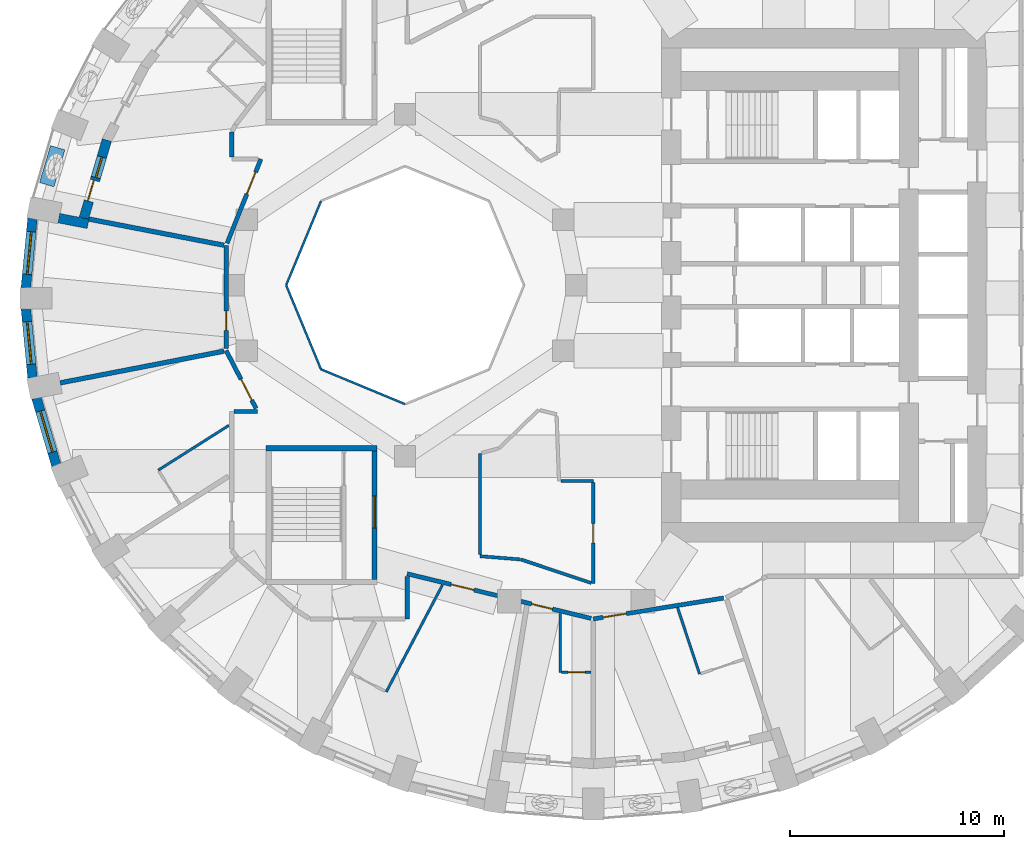
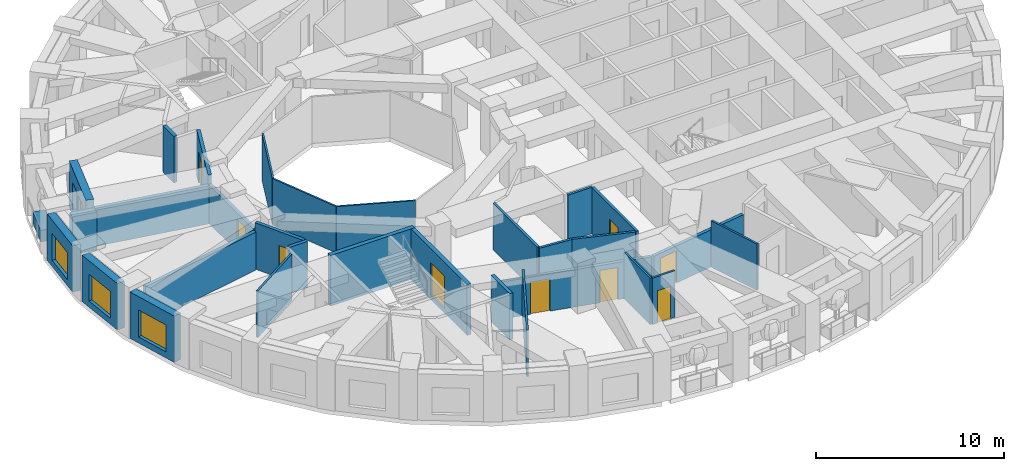
# One storey, part 4 of 13: 31 walls, 10 doors, 4 windows, 14 openings.
"""IFC4 building model written with IfcOpenShell, lengths in metres."""

from ifc_helpers import new_model, si_unit, direction, frame, frame_2d, origin, place, context, subcontext, project, spatial, rectangle, extrude, material, layer, layer_set, constituent, constituent_set, type_object, element, fill, save


model = new_model("IFC4")

# Units and contexts
model_context = context("Model", 3, precision=1e-05, world=origin(), true_north=direction((0.0, 1.0)))
body_context = subcontext(model_context, "Body", "Model", "MODEL_VIEW")
ifc_project = project(units=[si_unit("LENGTHUNIT", "METRE"), si_unit("AREAUNIT", "SQUARE_METRE"), si_unit("VOLUMEUNIT", "CUBIC_METRE"), si_unit("PLANEANGLEUNIT", "RADIAN"), si_unit("MASSUNIT", "GRAM", prefix="KILO")], contexts=[model_context])

# Site, building, storey
site_placement = place(None, origin())
site = spatial("IfcSite", under=ifc_project, at=site_placement, CompositionType="ELEMENT")
building_placement = place(site_placement, origin())
building = spatial("IfcBuilding", under=site, at=building_placement, Name="Taillehof Tower", CompositionType="ELEMENT")
storey_placement = place(building_placement, frame((0.0, 0.0, 108.699951171875)))
storey = spatial("IfcBuildingStorey", under=building, at=storey_placement, Name="L30", CompositionType="ELEMENT", Elevation=108.699951171875)

# Walls
ifc_material_1 = material(Name="Fire-resisting glass in steel frame", Category="steel")
ifc_layer_1 = layer(ifc_material_1, 0.10009765625)
ifc_layer_set_1 = layer_set([ifc_layer_1], Name="Atrium fire-resisting screen EI 60 100")
wall_type_1 = type_object("IfcWallType", Name="Atrium fire-resisting screen EI 60 100", PredefinedType="PARTITIONING", material=ifc_layer_set_1)
for number, where, z_axis, x_axis, name in (
    (1, (-8.0, -5.55419921875, 0.0), (0.0, 0.0, 1.0), (-0.923860025149, 0.382730523909, 0.0), "Atrium screen"),
    (2, (-11.92724609375, -3.92724609375, 0.0), (0.0, 0.0, 1.0), (-0.382730523909, 0.923860025149, 0.0), "Atrium screen"),
    (3, (-13.55419921875, 0.0, 0.0), (0.0, 0.0, 1.0), (0.382730523909, 0.923860025149, 0.0), "Atrium screen"),
):
    element("IfcWall", number, at=place(storey_placement, frame(where, z_axis=z_axis, x_axis=x_axis)), inside=storey, type_object=wall_type_1, Name=name, PredefinedType="PARTITIONING", context=body_context, shape_type="SweptSolid", body=[
        extrude(rectangle(XDim=4.2509765625, YDim=0.10009765625, at=frame_2d((2.12548828125, 0.0))), origin(), (0.0, 0.0, 1.0), 3.02001953125),
    ])

# Wall, opening, window
ifc_material_2 = material(Name="Brick masonry", Category="masonry")
ifc_layer_2 = layer(ifc_material_2, 0.449951171875)
ifc_layer_set_2 = layer_set([ifc_layer_2], Name="Brick infill wall 450")
wall_type_2 = type_object("IfcWallType", Name="Brick infill wall 450", PredefinedType="SOLIDWALL", material=ifc_layer_set_2)
wall_1_placement = place(storey_placement, frame((-25.414794921875, 3.12646484375, 0.0), z_axis=(0.0, 0.0, 1.0), x_axis=(-0.095967726544, -0.995384446062, 0.0)))
wall_1 = element("IfcWall", 4, at=wall_1_placement, inside=storey, type_object=wall_type_2, Name="Brick wall L30 bay 18", PredefinedType="SOLIDWALL", context=body_context, shape_type="SweptSolid", body=[
    extrude(rectangle(XDim=3.261474609375, YDim=0.449951171875, at=frame_2d((1.630859375, 0.0))), origin(), (0.0, 0.0, 1.0), 3.02001953125),
])
opening_1_placement = place(wall_1_placement, frame((0.630615234375, 0.0, 0.39990234375)))
opening_1 = element("IfcOpeningElement", 5, at=opening_1_placement, cuts=wall_1, Name="Opening W2", PredefinedType="OPENING", context=body_context, shape_type="SweptSolid", body=[
    extrude(rectangle(XDim=2.0, YDim=1.75, at=frame_2d((1.0, 0.875))), frame((0.0, 0.23486328125, 0.0), z_axis=(0.0, -1.0, 0.0), x_axis=(1.0, 0.0, 0.0)), (0.0, 0.0, 1.0), 0.469970703125),
])
ifc_material_3 = material(Name="Aluminium window frame with clear double glazing", Category="aluminium")
window_type_1 = type_object("IfcWindowType", Name="Deep-set window 2000x1750", PartitioningType="SINGLE_PANEL", PredefinedType="WINDOW", material=ifc_material_3)
window_1_placement = place(opening_1_placement, origin())
window_1 = element("IfcWindow", 6, at=window_1_placement, inside=storey, type_object=window_type_1, Name="W2", OverallHeight=1.75, OverallWidth=2.0, PartitioningType="SINGLE_PANEL", PredefinedType="WINDOW", context=body_context, shape_type="SweptSolid", body=[
    extrude(rectangle(XDim=2.0, YDim=1.75, at=frame_2d((1.0, 0.875))), frame((0.0, 0.034912109375, 0.0), z_axis=(0.0, -1.0, 0.0), x_axis=(1.0, 0.0, 0.0)), (0.0, 0.0, 1.0), 0.06005859375),
])
fill(opening_1, window_1)

wall_2_placement = place(storey_placement, frame((-25.727783203125, -1.080078125, 0.0), z_axis=(0.0, 0.0, 1.0), x_axis=(0.095967726544, -0.995384446062, 0.0)))
wall_2 = element("IfcWall", 7, at=wall_2_placement, inside=storey, type_object=wall_type_2, Name="Brick wall L30 bay 19", PredefinedType="SOLIDWALL", context=body_context, shape_type="SweptSolid", body=[
    extrude(rectangle(XDim=3.261474609375, YDim=0.449951171875, at=frame_2d((1.630859375, 0.0))), origin(), (0.0, 0.0, 1.0), 3.02001953125),
])
opening_2_placement = place(wall_2_placement, frame((0.630615234375, 0.0, 0.39990234375)))
opening_2 = element("IfcOpeningElement", 8, at=opening_2_placement, cuts=wall_2, Name="Opening W2", PredefinedType="OPENING", context=body_context, shape_type="SweptSolid", body=[
    extrude(rectangle(XDim=2.0, YDim=1.75, at=frame_2d((1.0, 0.875))), frame((0.0, 0.23486328125, 0.0), z_axis=(0.0, -1.0, 0.0), x_axis=(1.0, 0.0, 0.0)), (0.0, 0.0, 1.0), 0.469970703125),
])
window_2_placement = place(opening_2_placement, origin())
window_2 = element("IfcWindow", 9, at=window_2_placement, inside=storey, type_object=window_type_1, Name="W2", OverallHeight=1.75, OverallWidth=2.0, PartitioningType="SINGLE_PANEL", PredefinedType="WINDOW", context=body_context, shape_type="SweptSolid", body=[
    extrude(rectangle(XDim=2.0, YDim=1.75, at=frame_2d((1.0, 0.875))), frame((0.0, 0.034912109375, 0.0), z_axis=(0.0, -1.0, 0.0), x_axis=(1.0, 0.0, 0.0)), (0.0, 0.0, 1.0), 0.06005859375),
])
fill(opening_2, window_2)

wall_3_placement = place(storey_placement, frame((-25.232177734375, -5.26904296875, 0.0), z_axis=(0.0, 0.0, 1.0), x_axis=(0.283051078697, -0.959104836214, 0.0)))
wall_3 = element("IfcWall", 10, at=wall_3_placement, inside=storey, type_object=wall_type_2, Name="Brick wall L30 bay 20", PredefinedType="SOLIDWALL", context=body_context, shape_type="SweptSolid", body=[
    extrude(rectangle(XDim=3.2861328125, YDim=0.449951171875, at=frame_2d((1.64306640625, 0.0))), origin(), (0.0, 0.0, 1.0), 3.02001953125),
])
opening_3_placement = place(wall_3_placement, frame((0.64306640625, 0.0, 0.39990234375)))
opening_3 = element("IfcOpeningElement", 11, at=opening_3_placement, cuts=wall_3, Name="Opening W2", PredefinedType="OPENING", context=body_context, shape_type="SweptSolid", body=[
    extrude(rectangle(XDim=2.0, YDim=1.75, at=frame_2d((1.0, 0.875))), frame((0.0, 0.23486328125, 0.0), z_axis=(0.0, -1.0, 0.0), x_axis=(1.0, 0.0, 0.0)), (0.0, 0.0, 1.0), 0.469970703125),
])
window_3_placement = place(opening_3_placement, origin())
window_3 = element("IfcWindow", 12, at=window_3_placement, inside=storey, type_object=window_type_1, Name="W2", OverallHeight=1.75, OverallWidth=2.0, PartitioningType="SINGLE_PANEL", PredefinedType="WINDOW", context=body_context, shape_type="SweptSolid", body=[
    extrude(rectangle(XDim=2.0, YDim=1.75, at=frame_2d((1.0, 0.875))), frame((0.0, 0.034912109375, 0.0), z_axis=(0.0, -1.0, 0.0), x_axis=(1.0, 0.0, 0.0)), (0.0, 0.0, 1.0), 0.06005859375),
])
fill(opening_3, window_3)

# Wall
wall_4_placement = place(storey_placement, frame((-24.1826171875, 3.134765625, 0.0), z_axis=(0.0, 0.0, 1.0), x_axis=(0.981744955624, -0.190202108576, 0.0)))
element("IfcWall", 13, at=wall_4_placement, inside=storey, type_object=wall_type_2, Name="Brick reveal L30 pocket 4", PredefinedType="SOLIDWALL", context=body_context, shape_type="SweptSolid", body=[
    extrude(rectangle(XDim=1.39013671875, YDim=0.449951171875, at=frame_2d((0.695068359375, 0.0))), origin(), (0.0, 0.0, 1.0), 2.469970703125),
])

# Wall, openings, door, window
wall_5_placement = place(storey_placement, frame((-21.939453125, 6.790771484375, 0.0), z_axis=(0.0, 0.0, 1.0), x_axis=(-0.282350284167, -0.959311376473, 0.0)))
wall_5 = element("IfcWall", 14, at=wall_5_placement, inside=storey, type_object=wall_type_2, Name="Brick wall L30 pocket bay 17", PredefinedType="SOLIDWALL", context=body_context, shape_type="SweptSolid", body=[
    extrude(rectangle(XDim=3.80810546875, YDim=0.449951171875, at=frame_2d((1.904052734375, 0.0))), origin(), (0.0, 0.0, 1.0), 3.02001953125),
])
opening_4_placement = place(wall_5_placement, frame((0.8291015625, 0.0, 0.39990234375)))
opening_4 = element("IfcOpeningElement", 15, at=opening_4_placement, cuts=wall_5, Name="Opening W5", PredefinedType="OPENING", context=body_context, shape_type="SweptSolid", body=[
    extrude(rectangle(XDim=1.0, YDim=1.75, at=frame_2d((0.5, 0.875))), frame((0.0, 0.23486328125, 0.0), z_axis=(0.0, -1.0, 0.0), x_axis=(1.0, 0.0, 0.0)), (0.0, 0.0, 1.0), 0.469970703125),
])
opening_5_placement = place(wall_5_placement, frame((1.97900390625, 0.0, 0.0)))
opening_5 = element("IfcOpeningElement", 16, at=opening_5_placement, cuts=wall_5, Name="Opening D3093", PredefinedType="OPENING", context=body_context, shape_type="SweptSolid", body=[
    extrude(rectangle(XDim=1.0, YDim=2.14990234375, at=frame_2d((0.5, 1.074951171875))), frame((0.0, 0.23486328125, 0.0), z_axis=(0.0, -1.0, 0.0), x_axis=(1.0, 0.0, 0.0)), (0.0, 0.0, 1.0), 0.469970703125),
])
ifc_material_4 = material(Name="Aluminium door frame with clear double glazing", Category="aluminium")
door_type_1 = type_object("IfcDoorType", Name="Balcony door 1000x2150", OperationType="SINGLE_SWING_RIGHT", PredefinedType="DOOR", material=ifc_material_4)
door_1_placement = place(opening_5_placement, frame((1.0, 0.0, 0.0), z_axis=(0.0, 0.0, 1.0), x_axis=(-1.0, 0.0, 0.0)))
door_1 = element("IfcDoor", 17, at=door_1_placement, inside=storey, type_object=door_type_1, Name="Balcony door L30 bay 17", OperationType="SINGLE_SWING_LEFT", OverallHeight=2.14990234375, OverallWidth=1.0, PredefinedType="DOOR", context=body_context, shape_type="SweptSolid", body=[
    extrude(rectangle(XDim=1.0, YDim=2.14990234375, at=frame_2d((0.5, 1.074951171875))), frame((0.0, 0.0751953125, 0.0), z_axis=(0.0, -1.0, 0.0), x_axis=(1.0, 0.0, 0.0)), (0.0, 0.0, 1.0), 0.050048828125),
])
fill(opening_5, door_1)
ifc_material_5 = material(Name="Aluminium window frame with clear double glazing", Category="aluminium")
window_type_2 = type_object("IfcWindowType", Name="Fixed window 1000x1750", PartitioningType="SINGLE_PANEL", PredefinedType="WINDOW", material=ifc_material_5)
window_4_placement = place(opening_4_placement, origin())
window_4 = element("IfcWindow", 18, at=window_4_placement, inside=storey, type_object=window_type_2, Name="W5", OverallHeight=1.75, OverallWidth=1.0, PartitioningType="SINGLE_PANEL", PredefinedType="WINDOW", context=body_context, shape_type="SweptSolid", body=[
    extrude(rectangle(XDim=1.0, YDim=1.75, at=frame_2d((0.5, 0.875))), frame((0.0, 0.034912109375, 0.0), z_axis=(0.0, -1.0, 0.0), x_axis=(1.0, 0.0, 0.0)), (0.0, 0.0, 1.0), 0.06005859375),
])
fill(opening_4, window_4)

# Wall
ifc_material_6 = material(Name="Gypsum board on steel studs, two layers each side", Category="steel")
ifc_layer_3 = layer(ifc_material_6, 0.199951171875)
ifc_layer_set_3 = layer_set([ifc_layer_3], Name="Compartment wall corridor 200")
wall_type_3 = type_object("IfcWallType", Name="Compartment wall corridor 200", PredefinedType="PARTITIONING", material=ifc_layer_set_3)
wall_6_placement = place(storey_placement, frame((-16.0, -5.89990234375, 0.0), z_axis=(0.0, 0.0, 1.0), x_axis=(1.0, 0.0, 0.0)))
element("IfcWall", 19, at=wall_6_placement, inside=storey, type_object=wall_type_3, Name="Compartment wall", PredefinedType="PARTITIONING", context=body_context, shape_type="SweptSolid", body=[
    extrude(rectangle(XDim=1.1083984375, YDim=0.199951171875, at=frame_2d((0.55419921875, 0.0))), origin(), (0.0, 0.0, 1.0), 3.02001953125),
])

# Wall, opening, door
wall_7_placement = place(storey_placement, frame((-14.9658203125, -5.75732421875, 0.0), z_axis=(0.0, 0.0, 1.0), x_axis=(-0.458904116107, 0.888485797422, 0.0)))
wall_7 = element("IfcWall", 20, at=wall_7_placement, inside=storey, type_object=wall_type_3, Name="Compartment wall", PredefinedType="PARTITIONING", context=body_context, shape_type="SweptSolid", body=[
    extrude(rectangle(XDim=3.04736328125, YDim=0.199951171875, at=frame_2d((1.523681640625, 0.0))), origin(), (0.0, 0.0, 1.0), 3.02001953125),
])
opening_6_placement = place(wall_7_placement, frame((0.43505859375, 0.0, 0.0)))
opening_6 = element("IfcOpeningElement", 21, at=opening_6_placement, cuts=wall_7, Name="Opening D3052", PredefinedType="OPENING", context=body_context, shape_type="SweptSolid", body=[
    extrude(rectangle(XDim=1.10009765625, YDim=2.10009765625, at=frame_2d((0.550048828125, 1.050048828125))), frame((0.0, 0.10986328125, 0.0), z_axis=(0.0, -1.0, 0.0), x_axis=(1.0, 0.0, 0.0)), (0.0, 0.0, 1.0), 0.219970703125),
])
ifc_material_7 = material(Name="Timber door leaf in steel frame", Category="steel")
door_type_2 = type_object("IfcDoorType", Name="Suite entrance door EI 30 1100 x 2100", OperationType="SINGLE_SWING_LEFT", PredefinedType="DOOR", material=ifc_material_7)
door_2_placement = place(opening_6_placement, origin())
door_2 = element("IfcDoor", 22, at=door_2_placement, inside=storey, type_object=door_type_2, Name="D3052", OperationType="SINGLE_SWING_LEFT", OverallHeight=2.10009765625, OverallWidth=1.10009765625, PredefinedType="DOOR", context=body_context, shape_type="SweptSolid", body=[
    extrude(rectangle(XDim=1.10009765625, YDim=2.10009765625, at=frame_2d((0.550048828125, 1.050048828125))), frame((0.0, 0.02490234375, 0.0), z_axis=(0.0, -1.0, 0.0), x_axis=(1.0, 0.0, 0.0)), (0.0, 0.0, 1.0), 0.050048828125),
])
fill(opening_6, door_2)

wall_8_placement = place(storey_placement, frame((-16.3642578125, -2.94970703125, 0.0), z_axis=(0.0, 0.0, 1.0), x_axis=(0.0, 1.0, 0.0)))
wall_8 = element("IfcWall", 23, at=wall_8_placement, inside=storey, type_object=wall_type_3, Name="Compartment wall", PredefinedType="PARTITIONING", context=body_context, shape_type="SweptSolid", body=[
    extrude(rectangle(XDim=4.79931640625, YDim=0.199951171875, at=frame_2d((2.399658203125, 0.0))), origin(), (0.0, 0.0, 1.0), 2.52001953125),
])
opening_7_placement = place(wall_8_placement, frame((0.8349609375, 0.0, 0.0)))
opening_7 = element("IfcOpeningElement", 24, at=opening_7_placement, cuts=wall_8, Name="Opening D3051", PredefinedType="OPENING", context=body_context, shape_type="SweptSolid", body=[
    extrude(rectangle(XDim=0.89990234375, YDim=2.10009765625, at=frame_2d((0.449951171875, 1.050048828125))), frame((0.0, 0.10986328125, 0.0), z_axis=(0.0, -1.0, 0.0), x_axis=(1.0, 0.0, 0.0)), (0.0, 0.0, 1.0), 0.219970703125),
])
ifc_material_8 = material(Name="Timber door leaf in steel frame", Category="steel")
door_type_3 = type_object("IfcDoorType", Name="Service room door EI 30 900 x 2100", OperationType="SINGLE_SWING_LEFT", PredefinedType="DOOR", material=ifc_material_8)
door_3_placement = place(opening_7_placement, origin())
door_3 = element("IfcDoor", 25, at=door_3_placement, inside=storey, type_object=door_type_3, Name="D3051", OperationType="SINGLE_SWING_LEFT", OverallHeight=2.10009765625, OverallWidth=0.89990234375, PredefinedType="DOOR", context=body_context, shape_type="SweptSolid", body=[
    extrude(rectangle(XDim=0.89990234375, YDim=2.10009765625, at=frame_2d((0.449951171875, 1.050048828125))), frame((0.0, 0.02490234375, 0.0), z_axis=(0.0, -1.0, 0.0), x_axis=(1.0, 0.0, 0.0)), (0.0, 0.0, 1.0), 0.050048828125),
])
fill(opening_7, door_3)

wall_9_placement = place(storey_placement, frame((-16.31884765625, 1.9609375, 0.0), z_axis=(0.0, 0.0, 1.0), x_axis=(0.372352515432, 0.928091377102, 0.0)))
wall_9 = element("IfcWall", 26, at=wall_9_placement, inside=storey, type_object=wall_type_3, Name="Compartment wall", PredefinedType="PARTITIONING", context=body_context, shape_type="SweptSolid", body=[
    extrude(rectangle(XDim=4.244140625, YDim=0.199951171875, at=frame_2d((2.1220703125, 0.0))), origin(), (0.0, 0.0, 1.0), 3.02001953125),
])
opening_8_placement = place(wall_9_placement, frame((2.480712890625, 0.0, 0.0)))
opening_8 = element("IfcOpeningElement", 27, at=opening_8_placement, cuts=wall_9, Name="Opening D3049", PredefinedType="OPENING", context=body_context, shape_type="SweptSolid", body=[
    extrude(rectangle(XDim=1.10009765625, YDim=2.10009765625, at=frame_2d((0.550048828125, 1.050048828125))), frame((0.0, 0.10986328125, 0.0), z_axis=(0.0, -1.0, 0.0), x_axis=(1.0, 0.0, 0.0)), (0.0, 0.0, 1.0), 0.219970703125),
])
door_4_placement = place(opening_8_placement, origin())
door_4 = element("IfcDoor", 28, at=door_4_placement, inside=storey, type_object=door_type_2, Name="D3049", OperationType="SINGLE_SWING_RIGHT", OverallHeight=2.10009765625, OverallWidth=1.10009765625, PredefinedType="DOOR", context=body_context, shape_type="SweptSolid", body=[
    extrude(rectangle(XDim=1.10009765625, YDim=2.10009765625, at=frame_2d((0.550048828125, 1.050048828125))), frame((0.0, 0.02490234375, 0.0), z_axis=(0.0, -1.0, 0.0), x_axis=(1.0, 0.0, 0.0)), (0.0, 0.0, 1.0), 0.050048828125),
])
fill(opening_8, door_4)

# Wall
wall_10_placement = place(storey_placement, frame((-16.10009765625, 6.0, 0.0), z_axis=(0.0, 0.0, 1.0), x_axis=(0.0, 1.0, 0.0)))
element("IfcWall", 29, at=wall_10_placement, inside=storey, type_object=wall_type_3, Name="Compartment wall", PredefinedType="PARTITIONING", context=body_context, shape_type="SweptSolid", body=[
    extrude(rectangle(XDim=1.159912109375, YDim=0.199951171875, at=frame_2d((0.580078125, 0.0))), origin(), (0.0, 0.0, 1.0), 3.02001953125),
])

# Wall, opening, door
wall_11_placement = place(storey_placement, frame((6.890625, -14.624755859375, 0.0), z_axis=(0.0, 0.0, 1.0), x_axis=(-0.987419134366, -0.158124802253, 0.0)))
wall_11 = element("IfcWall", 30, at=wall_11_placement, inside=storey, type_object=wall_type_3, Name="Compartment wall", PredefinedType="PARTITIONING", context=body_context, shape_type="SweptSolid", body=[
    extrude(rectangle(XDim=6.168212890625, YDim=0.199951171875, at=frame_2d((3.083984375, 0.0))), origin(), (0.0, 0.0, 1.0), 2.420166015625),
])
opening_9_placement = place(wall_11_placement, frame((4.60400390625, 0.0, 0.0)))
opening_9 = element("IfcOpeningElement", 31, at=opening_9_placement, cuts=wall_11, Name="Opening D3060", PredefinedType="OPENING", context=body_context, shape_type="SweptSolid", body=[
    extrude(rectangle(XDim=1.10009765625, YDim=2.10009765625, at=frame_2d((0.550048828125, 1.050048828125))), frame((0.0, 0.10986328125, 0.0), z_axis=(0.0, -1.0, 0.0), x_axis=(1.0, 0.0, 0.0)), (0.0, 0.0, 1.0), 0.219970703125),
])
ifc_material_9 = material(Name="Timber door leaf in steel frame", Category="steel")
door_type_4 = type_object("IfcDoorType", Name="Accessible guest room door EI 30 1100 x 2100", OperationType="SINGLE_SWING_LEFT", PredefinedType="DOOR", material=ifc_material_9)
door_5_placement = place(opening_9_placement, origin())
door_5 = element("IfcDoor", 32, at=door_5_placement, inside=storey, type_object=door_type_4, Name="D3060", OperationType="SINGLE_SWING_RIGHT", OverallHeight=2.10009765625, OverallWidth=1.10009765625, PredefinedType="DOOR", context=body_context, shape_type="SweptSolid", body=[
    extrude(rectangle(XDim=1.10009765625, YDim=2.10009765625, at=frame_2d((0.550048828125, 1.050048828125))), frame((0.0, 0.02490234375, 0.0), z_axis=(0.0, -1.0, 0.0), x_axis=(1.0, 0.0, 0.0)), (0.0, 0.0, 1.0), 0.050048828125),
])
fill(opening_9, door_5)

# Wall, openings, doors
wall_12_placement = place(storey_placement, frame((0.702392578125, -15.576904296875, 0.0), z_axis=(0.0, 0.0, 1.0), x_axis=(-0.971804733873, 0.235787105715, 0.0)))
wall_12 = element("IfcWall", 33, at=wall_12_placement, inside=storey, type_object=wall_type_3, Name="Compartment wall", PredefinedType="PARTITIONING", context=body_context, shape_type="SweptSolid", body=[
    extrude(rectangle(XDim=8.851806640625, YDim=0.199951171875, at=frame_2d((4.42578125, 0.0))), origin(), (0.0, 0.0, 1.0), 2.420166015625),
])
opening_10_placement = place(wall_12_placement, frame((5.631103515625, 0.0, 0.0)))
opening_10 = element("IfcOpeningElement", 34, at=opening_10_placement, cuts=wall_12, Name="Opening D3056", PredefinedType="OPENING", context=body_context, shape_type="SweptSolid", body=[
    extrude(rectangle(XDim=1.10009765625, YDim=2.10009765625, at=frame_2d((0.550048828125, 1.050048828125))), frame((0.0, 0.10986328125, 0.0), z_axis=(0.0, -1.0, 0.0), x_axis=(1.0, 0.0, 0.0)), (0.0, 0.0, 1.0), 0.219970703125),
])
opening_11_placement = place(wall_12_placement, frame((1.86328125, 0.0, 0.0)))
opening_11 = element("IfcOpeningElement", 35, at=opening_11_placement, cuts=wall_12, Name="Opening D3058", PredefinedType="OPENING", context=body_context, shape_type="SweptSolid", body=[
    extrude(rectangle(XDim=1.0, YDim=2.10009765625, at=frame_2d((0.5, 1.050048828125))), frame((0.0, 0.10986328125, 0.0), z_axis=(0.0, -1.0, 0.0), x_axis=(1.0, 0.0, 0.0)), (0.0, 0.0, 1.0), 0.219970703125),
])
ifc_material_10 = material(Name="Timber door leaf in steel frame", Category="steel")
door_type_5 = type_object("IfcDoorType", Name="Guest room door EI 30 1000 x 2100", OperationType="SINGLE_SWING_LEFT", PredefinedType="DOOR", material=ifc_material_10)
door_6_placement = place(opening_11_placement, origin())
door_6 = element("IfcDoor", 36, at=door_6_placement, inside=storey, type_object=door_type_5, Name="D3058", OperationType="SINGLE_SWING_RIGHT", OverallHeight=2.10009765625, OverallWidth=1.0, PredefinedType="DOOR", context=body_context, shape_type="SweptSolid", body=[
    extrude(rectangle(XDim=1.0, YDim=2.10009765625, at=frame_2d((0.5, 1.050048828125))), frame((0.0, 0.02490234375, 0.0), z_axis=(0.0, -1.0, 0.0), x_axis=(1.0, 0.0, 0.0)), (0.0, 0.0, 1.0), 0.050048828125),
])
fill(opening_11, door_6)
door_7_placement = place(opening_10_placement, origin())
door_7 = element("IfcDoor", 37, at=door_7_placement, inside=storey, type_object=door_type_2, Name="D3056", OperationType="SINGLE_SWING_RIGHT", OverallHeight=2.10009765625, OverallWidth=1.10009765625, PredefinedType="DOOR", context=body_context, shape_type="SweptSolid", body=[
    extrude(rectangle(XDim=1.10009765625, YDim=2.10009765625, at=frame_2d((0.550048828125, 1.050048828125))), frame((0.0, 0.02490234375, 0.0), z_axis=(0.0, -1.0, 0.0), x_axis=(1.0, 0.0, 0.0)), (0.0, 0.0, 1.0), 0.050048828125),
])
fill(opening_10, door_7)

# Walls
wall_13_placement = place(storey_placement, frame((-7.89990234375, -13.60986328125, 0.0), z_axis=(0.0, 0.0, 1.0), x_axis=(0.0, -1.0, 0.0)))
element("IfcWall", 38, at=wall_13_placement, inside=storey, type_object=wall_type_3, Name="Compartment wall", PredefinedType="PARTITIONING", context=body_context, shape_type="SweptSolid", body=[
    extrude(rectangle(XDim=1.990234375, YDim=0.199951171875, at=frame_2d((0.9951171875, 0.0))), origin(), (0.0, 0.0, 1.0), 3.02001953125),
])
ifc_material_11 = material(Name="Gypsum board on double steel studs with mineral wool", Category="steel")
ifc_layer_4 = layer(ifc_material_11, 0.219970703125)
ifc_layer_set_4 = layer_set([ifc_layer_4], Name="Compartment wall guest room 220")
wall_type_4 = type_object("IfcWallType", Name="Compartment wall guest room 220", PredefinedType="PARTITIONING", material=ifc_layer_set_4)
wall_14_placement = place(storey_placement, frame((-22.792724609375, 3.0947265625, 0.0), z_axis=(0.0, 0.0, 1.0), x_axis=(0.981772102901, -0.190061931918, 0.0)))
element("IfcWall", 39, at=wall_14_placement, inside=storey, type_object=wall_type_4, Name="Compartment wall", PredefinedType="PARTITIONING", context=body_context, shape_type="SweptSolid", body=[
    extrude(rectangle(XDim=6.4482421875, YDim=0.219970703125, at=frame_2d((3.22412109375, 0.0))), origin(), (0.0, 0.0, 1.0), 2.469970703125),
])
wall_15_placement = place(storey_placement, frame((-24.117919921875, -4.564208984375, 0.0), z_axis=(0.0, 0.0, 1.0), x_axis=(0.981765151757, 0.190097834799, 0.0)))
element("IfcWall", 40, at=wall_15_placement, inside=storey, type_object=wall_type_4, Name="Compartment wall", PredefinedType="PARTITIONING", context=body_context, shape_type="SweptSolid", body=[
    extrude(rectangle(XDim=7.798095703125, YDim=0.219970703125, at=frame_2d((3.89892578125, 0.0))), origin(), (0.0, 0.0, 1.0), 2.469970703125),
])
ifc_material_12 = material(Name="Gypsum board on steel studs, two layers each side", Category="steel")
ifc_layer_5 = layer(ifc_material_12, 0.14990234375)
ifc_layer_set_5 = layer_set([ifc_layer_5], Name="Compartment wall service room 150")
wall_type_5 = type_object("IfcWallType", Name="Compartment wall service room 150", PredefinedType="PARTITIONING", material=ifc_layer_set_5)
wall_16_placement = place(storey_placement, frame((-0.719970703125, -9.14990234375, 0.0), z_axis=(0.0, 0.0, 1.0), x_axis=(1.0, 0.0, 0.0)))
element("IfcWall", 41, at=wall_16_placement, inside=storey, type_object=wall_type_5, Name="Compartment wall", PredefinedType="PARTITIONING", context=body_context, shape_type="SweptSolid", body=[
    extrude(rectangle(XDim=1.52001953125, YDim=0.14990234375, at=frame_2d((0.760009765625, 0.0))), origin(), (0.0, 0.0, 1.0), 3.02001953125),
])

# Wall, opening, door
wall_17_placement = place(storey_placement, frame((0.800048828125, -9.22998046875, 0.0), z_axis=(0.0, 0.0, 1.0), x_axis=(0.0, -1.0, 0.0)))
wall_17 = element("IfcWall", 42, at=wall_17_placement, inside=storey, type_object=wall_type_5, Name="Compartment wall", PredefinedType="PARTITIONING", context=body_context, shape_type="SweptSolid", body=[
    extrude(rectangle(XDim=4.7236328125, YDim=0.14990234375, at=frame_2d((2.36181640625, 0.0))), origin(), (0.0, 0.0, 1.0), 3.02001953125),
])
opening_12_placement = place(wall_17_placement, frame((1.911865234375, 0.0, 0.0)))
opening_12 = element("IfcOpeningElement", 43, at=opening_12_placement, cuts=wall_17, Name="Opening D3069", PredefinedType="OPENING", context=body_context, shape_type="SweptSolid", body=[
    extrude(rectangle(XDim=0.89990234375, YDim=2.10009765625, at=frame_2d((0.449951171875, 1.050048828125))), frame((0.0, 0.0849609375, 0.0), z_axis=(0.0, -1.0, 0.0), x_axis=(1.0, 0.0, 0.0)), (0.0, 0.0, 1.0), 0.169921875),
])
door_8_placement = place(opening_12_placement, origin())
door_8 = element("IfcDoor", 44, at=door_8_placement, inside=storey, type_object=door_type_3, Name="D3069", OperationType="SINGLE_SWING_LEFT", OverallHeight=2.10009765625, OverallWidth=0.89990234375, PredefinedType="DOOR", context=body_context, shape_type="SweptSolid", body=[
    extrude(rectangle(XDim=0.89990234375, YDim=2.10009765625, at=frame_2d((0.449951171875, 1.050048828125))), frame((0.0, 0.02490234375, 0.0), z_axis=(0.0, -1.0, 0.0), x_axis=(1.0, 0.0, 0.0)), (0.0, 0.0, 1.0), 0.050048828125),
])
fill(opening_12, door_8)

# Walls
wall_18_placement = place(storey_placement, frame((0.704833984375, -13.921875, 0.0), z_axis=(0.0, 0.0, 1.0), x_axis=(-0.948131483463, 0.317878420258, 0.0)))
element("IfcWall", 45, at=wall_18_placement, inside=storey, type_object=wall_type_5, Name="Compartment wall", PredefinedType="PARTITIONING", context=body_context, shape_type="SweptSolid", body=[
    extrude(rectangle(XDim=3.4599609375, YDim=0.14990234375, at=frame_2d((1.72998046875, 0.0))), origin(), (0.0, 0.0, 1.0), 3.02001953125),
])
wall_19_placement = place(storey_placement, frame((-2.595703125, -12.8203125, 0.0), z_axis=(0.0, 0.0, 1.0), x_axis=(-0.996815278536, 0.079745222283, 0.0)))
element("IfcWall", 46, at=wall_19_placement, inside=storey, type_object=wall_type_5, Name="Compartment wall", PredefinedType="PARTITIONING", context=body_context, shape_type="SweptSolid", body=[
    extrude(rectangle(XDim=1.910400390625, YDim=0.14990234375, at=frame_2d((0.955078125, 0.0))), origin(), (0.0, 0.0, 1.0), 3.02001953125),
])
wall_20_placement = place(storey_placement, frame((-4.5, -12.587890625, 0.0), z_axis=(0.0, 0.0, 1.0), x_axis=(0.0, 1.0, 0.0)))
element("IfcWall", 47, at=wall_20_placement, inside=storey, type_object=wall_type_5, Name="Compartment wall", PredefinedType="PARTITIONING", context=body_context, shape_type="SweptSolid", body=[
    extrude(rectangle(XDim=4.725830078125, YDim=0.14990234375, at=frame_2d((2.36279296875, 0.0))), origin(), (0.0, 0.0, 1.0), 3.02001953125),
])
ifc_material_13 = material(Name="Gypsum board on steel studs, moisture resistant", Category="steel")
ifc_layer_6 = layer(ifc_material_13, 0.1201171875)
ifc_layer_set_6 = layer_set([ifc_layer_6], Name="En-suite wall 120")
wall_type_6 = type_object("IfcWallType", Name="En-suite wall 120", PredefinedType="PARTITIONING", material=ifc_layer_set_6)
wall_21_placement = place(storey_placement, frame((-16.23388671875, -6.552490234375, 0.0), z_axis=(0.0, 0.0, 1.0), x_axis=(-0.844514089089, -0.535533335406, 0.0)))
element("IfcWall", 48, at=wall_21_placement, inside=storey, type_object=wall_type_6, Name="En-suite wall", PredefinedType="PARTITIONING", context=body_context, shape_type="SweptSolid", body=[
    extrude(rectangle(XDim=3.90966796875, YDim=0.1201171875, at=frame_2d((1.954833984375, 0.0))), origin(), (0.0, 0.0, 1.0), 3.02001953125),
])
wall_22_placement = place(storey_placement, frame((-6.25, -14.012939453125, 0.0), z_axis=(0.0, 0.0, 1.0), x_axis=(-0.465288210927, -0.885159240347, 0.0)))
element("IfcWall", 49, at=wall_22_placement, inside=storey, type_object=wall_type_6, Name="En-suite wall", PredefinedType="PARTITIONING", context=body_context, shape_type="SweptSolid", body=[
    extrude(rectangle(XDim=5.644287109375, YDim=0.1201171875, at=frame_2d((2.822265625, 0.0))), origin(), (0.0, 0.0, 1.0), 3.02001953125),
])
wall_23_placement = place(storey_placement, frame((-0.75, -15.346923828125, 0.0), z_axis=(0.0, 0.0, 1.0), x_axis=(0.0, -1.0, 0.0)))
element("IfcWall", 50, at=wall_23_placement, inside=storey, type_object=wall_type_6, Name="En-suite wall", PredefinedType="PARTITIONING", context=body_context, shape_type="SweptSolid", body=[
    extrude(rectangle(XDim=2.753173828125, YDim=0.1201171875, at=frame_2d((1.37646484375, 0.0))), origin(), (0.0, 0.0, 1.0), 3.02001953125),
])
wall_24_placement = place(storey_placement, frame((4.740478515625, -15.0703125, 0.0), z_axis=(0.0, 0.0, 1.0), x_axis=(0.314526308998, -0.949248756095, 0.0)))
element("IfcWall", 51, at=wall_24_placement, inside=storey, type_object=wall_type_6, Name="En-suite wall", PredefinedType="PARTITIONING", context=body_context, shape_type="SweptSolid", body=[
    extrude(rectangle(XDim=3.2724609375, YDim=0.1201171875, at=frame_2d((1.63623046875, 0.0))), origin(), (0.0, 0.0, 1.0), 3.02001953125),
])

# Wall, opening, door
wall_25_placement = place(storey_placement, frame((-0.68994140625, -18.10009765625, 0.0), z_axis=(0.0, 0.0, 1.0), x_axis=(1.0, 0.0, 0.0)))
wall_25 = element("IfcWall", 52, at=wall_25_placement, inside=storey, type_object=wall_type_6, Name="En-suite wall", PredefinedType="PARTITIONING", context=body_context, shape_type="SweptSolid", body=[
    extrude(rectangle(XDim=1.3798828125, YDim=0.1201171875, at=frame_2d((0.68994140625, 0.0))), origin(), (0.0, 0.0, 1.0), 3.02001953125),
])
opening_13_placement = place(wall_25_placement, frame((0.31494140625, 0.0, 0.0)))
opening_13 = element("IfcOpeningElement", 53, at=opening_13_placement, cuts=wall_25, Name="Opening D3059", PredefinedType="OPENING", context=body_context, shape_type="SweptSolid", body=[
    extrude(rectangle(XDim=0.800048828125, YDim=2.10009765625, at=frame_2d((0.39990234375, 1.050048828125))), frame((0.0, 0.070068359375, 0.0), z_axis=(0.0, -1.0, 0.0), x_axis=(1.0, 0.0, 0.0)), (0.0, 0.0, 1.0), 0.14013671875),
])
ifc_material_14 = material(Name="Timber door leaf in steel frame", Category="steel")
door_type_6 = type_object("IfcDoorType", Name="En-suite door 800 x 2100", OperationType="SINGLE_SWING_LEFT", PredefinedType="DOOR", material=ifc_material_14)
door_9_placement = place(opening_13_placement, origin())
door_9 = element("IfcDoor", 54, at=door_9_placement, inside=storey, type_object=door_type_6, Name="D3059", OperationType="SINGLE_SWING_LEFT", OverallHeight=2.10009765625, OverallWidth=0.800048828125, PredefinedType="DOOR", context=body_context, shape_type="SweptSolid", body=[
    extrude(rectangle(XDim=0.800048828125, YDim=2.10009765625, at=frame_2d((0.39990234375, 1.050048828125))), frame((0.0, 0.02490234375, 0.0), z_axis=(0.0, -1.0, 0.0), x_axis=(1.0, 0.0, 0.0)), (0.0, 0.0, 1.0), 0.050048828125),
])
fill(opening_13, door_9)

# Wall
ifc_material_15 = material(Name="Concrete C30/37 precast", Category="concrete")
ifc_constituent_1 = constituent(ifc_material_15, Name="Structure", Category="concrete")
ifc_material_16 = material(Name="Insulated lining")
ifc_constituent_2 = constituent(ifc_material_16, Name="Lining")
ifc_constituent_set = constituent_set(constituents=[ifc_constituent_1, ifc_constituent_2], Name="Planter trough 700x750")
wall_type_7 = type_object("IfcWallType", Name="Planter trough 700x750", PredefinedType="USERDEFINED", material=ifc_constituent_set)
wall_26_placement = place(storey_placement, frame((-24.239013671875, 6.42724609375, 0.0), z_axis=(0.0, 0.0, 1.0), x_axis=(-0.283076786659, -0.959097248904, 0.0)))
element("IfcWall", 55, at=wall_26_placement, inside=storey, type_object=wall_type_7, Name="Planter L30 bay 17", ObjectType="PLANTER", PredefinedType="USERDEFINED", context=body_context, shape_type="SweptSolid", body=[
    extrude(rectangle(XDim=1.800048828125, YDim=0.699951171875, at=frame_2d((0.89990234375, 0.0))), origin(), (0.0, 0.0, 1.0), 0.75),
])

# Wall, opening, door
ifc_material_17 = material(Name="Concrete C50/60", Category="concrete")
ifc_layer_7 = layer(ifc_material_17, 0.25)
ifc_layer_set_7 = layer_set([ifc_layer_7], Name="Stair wall C50/60 250")
wall_type_8 = type_object("IfcWallType", Name="Stair wall C50/60 250", PredefinedType="SHEAR", material=ifc_layer_set_7)
wall_27_placement = place(storey_placement, frame((-9.425048828125, -13.75, -0.280029296875), z_axis=(0.0, 0.0, 1.0), x_axis=(0.0, 1.0, 0.0)))
wall_27 = element("IfcWall", 56, at=wall_27_placement, inside=storey, type_object=wall_type_8, Name="Stair wall SC", PredefinedType="SHEAR", context=body_context, shape_type="SweptSolid", body=[
    extrude(rectangle(XDim=6.0, YDim=0.25, at=frame_2d((3.0, 0.0))), origin(), (0.0, 0.0, 1.0), 3.300048828125),
])
opening_14_placement = place(wall_27_placement, frame((2.39990234375, 0.0, 0.280029296875)))
opening_14 = element("IfcOpeningElement", 57, at=opening_14_placement, cuts=wall_27, Name="Opening D3020", PredefinedType="OPENING", context=body_context, shape_type="SweptSolid", body=[
    extrude(rectangle(XDim=1.5, YDim=2.10009765625, at=frame_2d((0.75, 1.050048828125))), frame((0.0, 0.135009765625, 0.0), z_axis=(0.0, -1.0, 0.0), x_axis=(1.0, 0.0, 0.0)), (0.0, 0.0, 1.0), 0.27001953125),
])
ifc_material_18 = material(Name="Steel-faced fire door", Category="steel")
door_type_7 = type_object("IfcDoorType", Name="Stair door 1500x2100", OperationType="DOUBLE_DOOR_SINGLE_SWING", PredefinedType="DOOR", material=ifc_material_18)
door_10_placement = place(opening_14_placement, origin())
door_10 = element("IfcDoor", 58, at=door_10_placement, inside=storey, type_object=door_type_7, Name="Stair door S4", OperationType="DOUBLE_DOOR_SINGLE_SWING", OverallHeight=2.10009765625, OverallWidth=1.5, PredefinedType="DOOR", context=body_context, shape_type="SweptSolid", body=[
    extrude(rectangle(XDim=1.5, YDim=2.10009765625, at=frame_2d((0.75, 1.050048828125))), frame((0.0, 0.02490234375, 0.0), z_axis=(0.0, -1.0, 0.0), x_axis=(1.0, 0.0, 0.0)), (0.0, 0.0, 1.0), 0.050048828125),
])
fill(opening_14, door_10)

# Wall
wall_28_placement = place(storey_placement, frame((-14.5, -7.625, -0.280029296875), z_axis=(0.0, 0.0, 1.0), x_axis=(1.0, 0.0, 0.0)))
element("IfcWall", 59, at=wall_28_placement, inside=storey, type_object=wall_type_8, Name="Stair wall SC", PredefinedType="SHEAR", context=body_context, shape_type="SweptSolid", body=[
    extrude(rectangle(XDim=5.199951171875, YDim=0.25, at=frame_2d((2.60009765625, 0.0))), origin(), (0.0, 0.0, 1.0), 3.300048828125),
])

save(model, "model.ifc")
